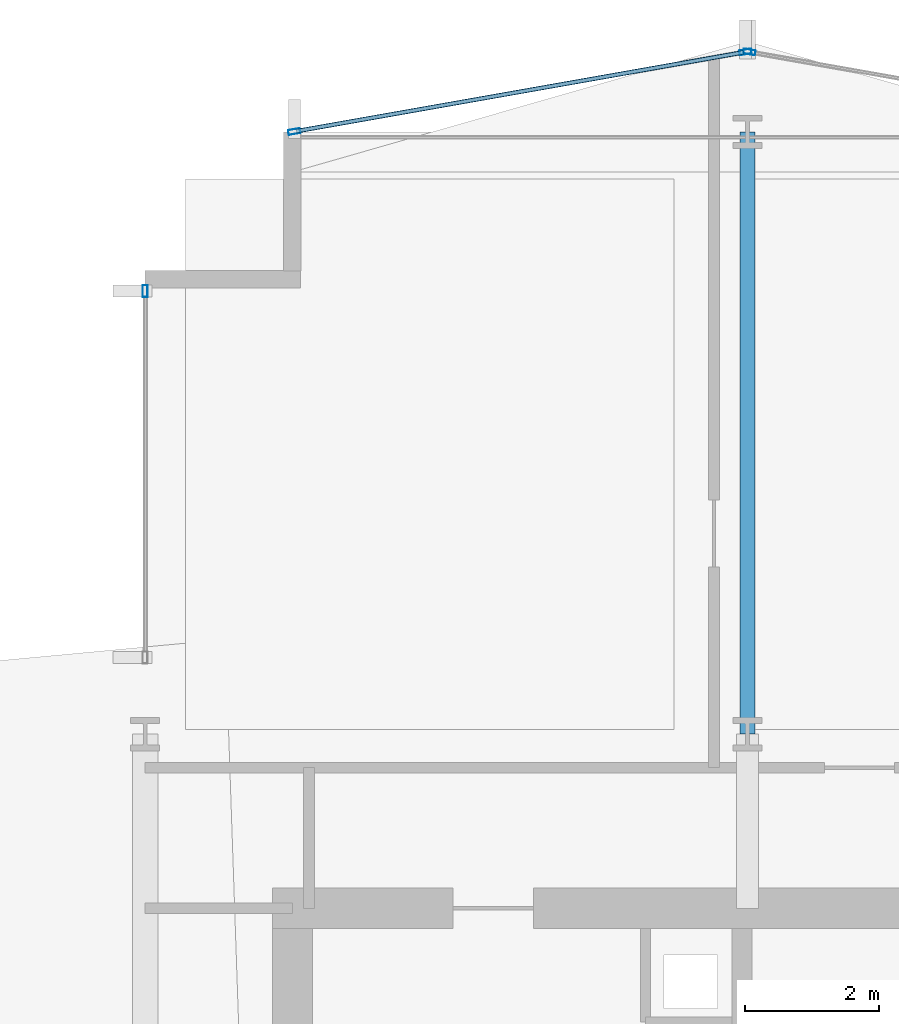
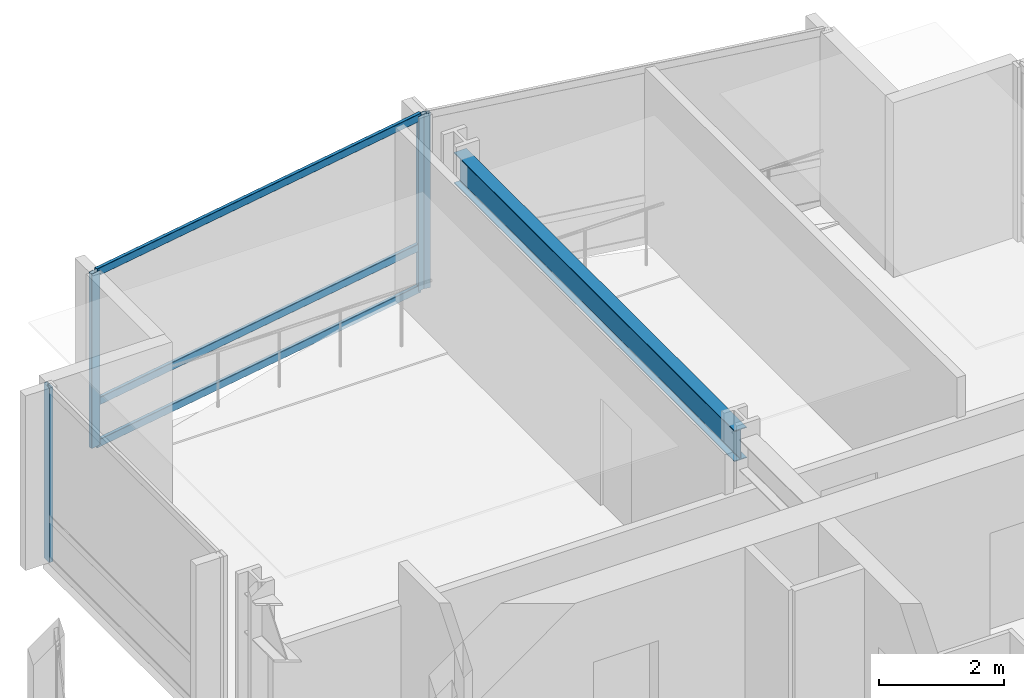
# One storey, part 23 of 34: 7 members, 1 beam, 3 elements without a shape of their own.
"""IFC4 building model written with IfcOpenShell, lengths in metres."""

from ifc_helpers import new_model, si_unit, direction, frame, origin, origin_2d, place, context, subcontext, project, spatial, hollow_rectangle, i_section, extrude, material, layer, layer_set, material_profile, profile_set, type_object, element, aggregate, save


model = new_model("IFC4")

# Units and contexts
model_context = context("Model", 3, precision=1e-05, world=origin(), true_north=direction((0.0, 1.0)))
body_context = subcontext(model_context, "Body", "Model", "MODEL_VIEW")
ifc_project = project(units=[si_unit("LENGTHUNIT", "METRE"), si_unit("AREAUNIT", "SQUARE_METRE"), si_unit("VOLUMEUNIT", "CUBIC_METRE"), si_unit("PLANEANGLEUNIT", "RADIAN"), si_unit("MASSUNIT", "GRAM", prefix="KILO")], contexts=[model_context])

# Site, building, storey
site_placement = place(None, origin())
site = spatial("IfcSite", under=ifc_project, at=site_placement, CompositionType="ELEMENT")
building_placement = place(site_placement, origin())
building = spatial("IfcBuilding", under=site, at=building_placement, Name="Solvaryn Broadcast Tower", CompositionType="ELEMENT")
storey_placement = place(building_placement, frame((0.0, 0.0, 61.89990234375)))
storey = spatial("IfcBuildingStorey", under=building, at=storey_placement, Name="L14", CompositionType="ELEMENT", Elevation=61.89990234375)

# Beam
ifc_material_1 = material(Name="Steel ASTM A992 Grade 50", Category="steel")
ifc_material_profile_1 = material_profile(ifc_material_1, i_section(OverallWidth=0.22802734375, OverallDepth=0.60791015625, WebThickness=0.01123046875, FlangeThickness=0.017333984375, FilletRadius=0.014892578125, at=origin_2d()))
ifc_profile_set_1 = profile_set([ifc_material_profile_1], Name="Steel ASTM A992 Grade 50")
beam_type = type_object("IfcBeamType", Name="BM-B2-W24X76", PredefinedType="BEAM", material=ifc_profile_set_1)
beam_placement = place(storey_placement, frame((18.0, 45.0, 3.1162109375), z_axis=(0.0, 1.0, 0.0), x_axis=(-1.0, 0.0, 0.0)))
element("IfcBeam", 1, at=beam_placement, inside=storey, type_object=beam_type, Name="L14 Primary Beam Y (45-54 @ X=18)", PredefinedType="BEAM", context=body_context, shape_type="SweptSolid", body=[
    extrude(i_section(OverallWidth=0.22802734375, OverallDepth=0.60791015625, WebThickness=0.01123046875, FlangeThickness=0.017333984375, FilletRadius=0.014892578125, at=origin_2d()), origin(), (0.0, 0.0, 1.0), 9.0),
])

# Curtain wall, member
ifc_material_2 = material(Name="Aluminium and Terracotta Unitised Curtain Wall", Category="masonry")
ifc_layer = layer(ifc_material_2, 0.199951171875)
ifc_layer_set = layer_set([ifc_layer], Name="CW-SYS2-LOWMID")
curtain_wall_type = type_object("IfcCurtainWallType", Name="CW-SYS2-LOWMID", PredefinedType="NOTDEFINED", material=ifc_layer_set)
curtain_wall_1_placement = place(storey_placement, origin())
curtain_wall_1 = element("IfcCurtainWall", 2, at=curtain_wall_1_placement, inside=storey, type_object=curtain_wall_type, Name="L14 Curtain Wall W2", PredefinedType="NOTDEFINED")
ifc_material_3 = material(Name="Anodised Aluminium 6063-T6", Category="aluminium")
ifc_material_profile_2 = material_profile(ifc_material_3, hollow_rectangle(XDim=0.074951171875, YDim=0.179931640625, WallThickness=0.00390625, InnerFilletRadius=0.00390625, OuterFilletRadius=0.008056640625, at=origin_2d()))
ifc_profile_set_2 = profile_set([ifc_material_profile_2], Name="Anodised Aluminium 6063-T6")
member_type_1 = type_object("IfcMemberType", Name="CW-MUL-180", PredefinedType="MULLION", material=ifc_profile_set_2)
member_1_placement = place(storey_placement, frame((9.0, 51.6201171875, 0.0), z_axis=(0.0, 0.0, 1.0), x_axis=(-1.0, 0.0, 0.0)))
member_1 = element("IfcMember", 3, at=member_1_placement, type_object=member_type_1, Name="CWS2 mullion 2", PredefinedType="MULLION", context=body_context, shape_type="SweptSolid", body=[
    extrude(hollow_rectangle(XDim=0.074951171875, YDim=0.179931640625, WallThickness=0.00390625, InnerFilletRadius=0.00390625, OuterFilletRadius=0.008056640625, at=origin_2d()), origin(), (0.0, 0.0, 1.0), 3.420166015625),
])
aggregate(curtain_wall_1, [member_1])

curtain_wall_2_placement = place(storey_placement, origin())
curtain_wall_2 = element("IfcCurtainWall", 4, at=curtain_wall_2_placement, inside=storey, type_object=curtain_wall_type, Name="L14 Curtain Wall NT1", PredefinedType="NOTDEFINED")
member_2_placement = place(storey_placement, frame((18.029541015625, 55.19482421875, 0.0), z_axis=(0.0, 0.0, 1.0), x_axis=(-0.173785333901, -0.984783558819, 0.0)))
member_2 = element("IfcMember", 5, at=member_2_placement, type_object=member_type_1, Name="CWS2 mullion 2", PredefinedType="MULLION", context=body_context, shape_type="SweptSolid", body=[
    extrude(hollow_rectangle(XDim=0.074951171875, YDim=0.179931640625, WallThickness=0.00390625, InnerFilletRadius=0.00390625, OuterFilletRadius=0.008056640625, at=origin_2d()), origin(), (0.0, 0.0, 1.0), 3.420166015625),
])
aggregate(curtain_wall_2, [member_2])

# Curtain wall, members
curtain_wall_3_placement = place(storey_placement, origin())
curtain_wall_3 = element("IfcCurtainWall", 6, at=curtain_wall_3_placement, inside=storey, type_object=curtain_wall_type, Name="L14 Curtain Wall NT2", PredefinedType="NOTDEFINED")
member_3_placement = place(storey_placement, frame((17.970458984375, 55.19482421875, 0.0), z_axis=(0.0, 0.0, 1.0), x_axis=(0.173785333901, -0.984783558819, 0.0)))
member_3 = element("IfcMember", 7, at=member_3_placement, type_object=member_type_1, Name="CWS2 mullion 1", PredefinedType="MULLION", context=body_context, shape_type="SweptSolid", body=[
    extrude(hollow_rectangle(XDim=0.074951171875, YDim=0.179931640625, WallThickness=0.00390625, InnerFilletRadius=0.00390625, OuterFilletRadius=0.008056640625, at=origin_2d()), origin(), (0.0, 0.0, 1.0), 3.420166015625),
])
member_4_placement = place(storey_placement, frame((11.2294921875, 54.005126953125, 0.0), z_axis=(0.0, 0.0, 1.0), x_axis=(0.173785333901, -0.984783558819, 0.0)))
member_4 = element("IfcMember", 8, at=member_4_placement, type_object=member_type_1, Name="CWS2 mullion 2", PredefinedType="MULLION", context=body_context, shape_type="SweptSolid", body=[
    extrude(hollow_rectangle(XDim=0.074951171875, YDim=0.179931640625, WallThickness=0.00390625, InnerFilletRadius=0.00390625, OuterFilletRadius=0.008056640625, at=origin_2d()), origin(), (0.0, 0.0, 1.0), 3.420166015625),
])
ifc_material_4 = material(Name="Anodised Aluminium 6063-T6", Category="aluminium")
ifc_material_profile_3 = material_profile(ifc_material_4, hollow_rectangle(XDim=0.06494140625, YDim=0.14990234375, WallThickness=0.00390625, InnerFilletRadius=0.00390625, OuterFilletRadius=0.008056640625, at=origin_2d()))
ifc_profile_set_3 = profile_set([ifc_material_profile_3], Name="Anodised Aluminium 6063-T6")
member_type_2 = type_object("IfcMemberType", Name="CW-TRN-150", PredefinedType="USERDEFINED", material=ifc_profile_set_3)
member_5_placement = place(storey_placement, frame((17.94091796875, 55.189453125, 0.030029296875), z_axis=(-0.984788629673, -0.173756596613, 0.0), x_axis=(0.173756596613, -0.984788629673, 0.0)))
member_5 = element("IfcMember", 9, at=member_5_placement, type_object=member_type_2, Name="CWS2 transom 1.1", ObjectType="TRANSOM", PredefinedType="USERDEFINED", context=body_context, shape_type="SweptSolid", body=[
    extrude(hollow_rectangle(XDim=0.06494140625, YDim=0.14990234375, WallThickness=0.00390625, InnerFilletRadius=0.00390625, OuterFilletRadius=0.008056640625, at=origin_2d()), origin(), (0.0, 0.0, 1.0), 6.78515625),
])
member_6_placement = place(storey_placement, frame((17.94091796875, 55.189453125, 0.85009765625), z_axis=(-0.984788629673, -0.173756596613, 0.0), x_axis=(0.173756596613, -0.984788629673, 0.0)))
member_6 = element("IfcMember", 10, at=member_6_placement, type_object=member_type_2, Name="CWS2 transom 1.2", ObjectType="TRANSOM", PredefinedType="USERDEFINED", context=body_context, shape_type="SweptSolid", body=[
    extrude(hollow_rectangle(XDim=0.06494140625, YDim=0.14990234375, WallThickness=0.00390625, InnerFilletRadius=0.00390625, OuterFilletRadius=0.008056640625, at=origin_2d()), origin(), (0.0, 0.0, 1.0), 6.78515625),
])
member_7_placement = place(storey_placement, frame((17.94091796875, 55.189453125, 3.39013671875), z_axis=(-0.984788629673, -0.173756596613, 0.0), x_axis=(0.173756596613, -0.984788629673, 0.0)))
member_7 = element("IfcMember", 11, at=member_7_placement, type_object=member_type_2, Name="CWS2 transom 1.3", ObjectType="TRANSOM", PredefinedType="USERDEFINED", context=body_context, shape_type="SweptSolid", body=[
    extrude(hollow_rectangle(XDim=0.06494140625, YDim=0.14990234375, WallThickness=0.00390625, InnerFilletRadius=0.00390625, OuterFilletRadius=0.008056640625, at=origin_2d()), origin(), (0.0, 0.0, 1.0), 6.78515625),
])
aggregate(curtain_wall_3, [member_3, member_4, member_5, member_6, member_7])

save(model, "model.ifc")
